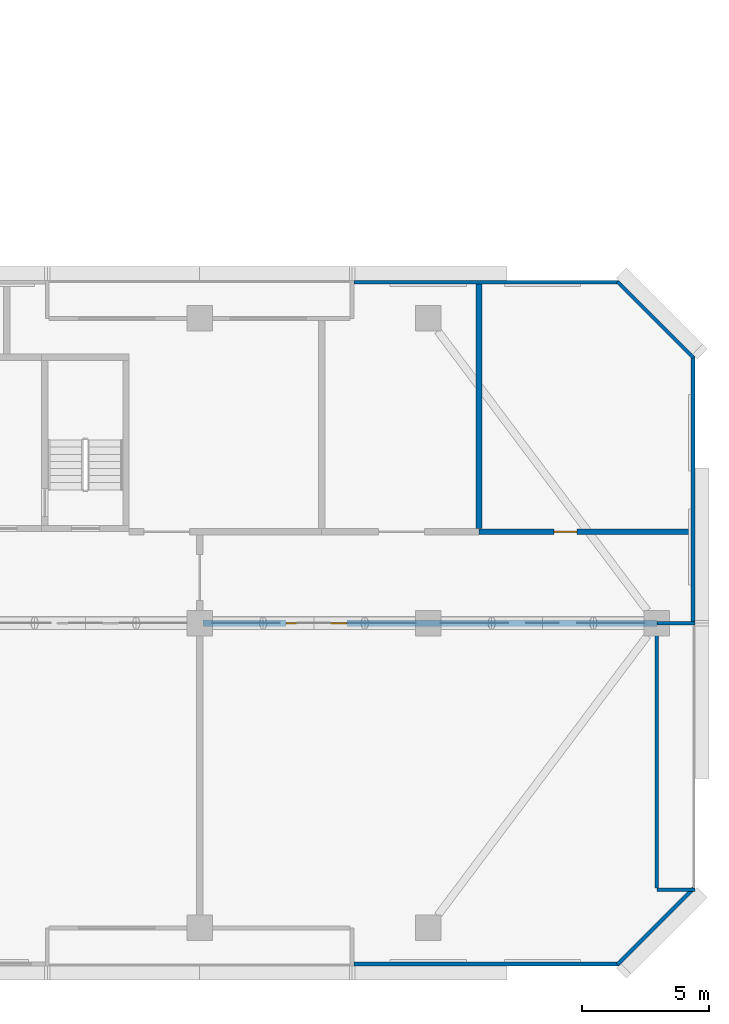
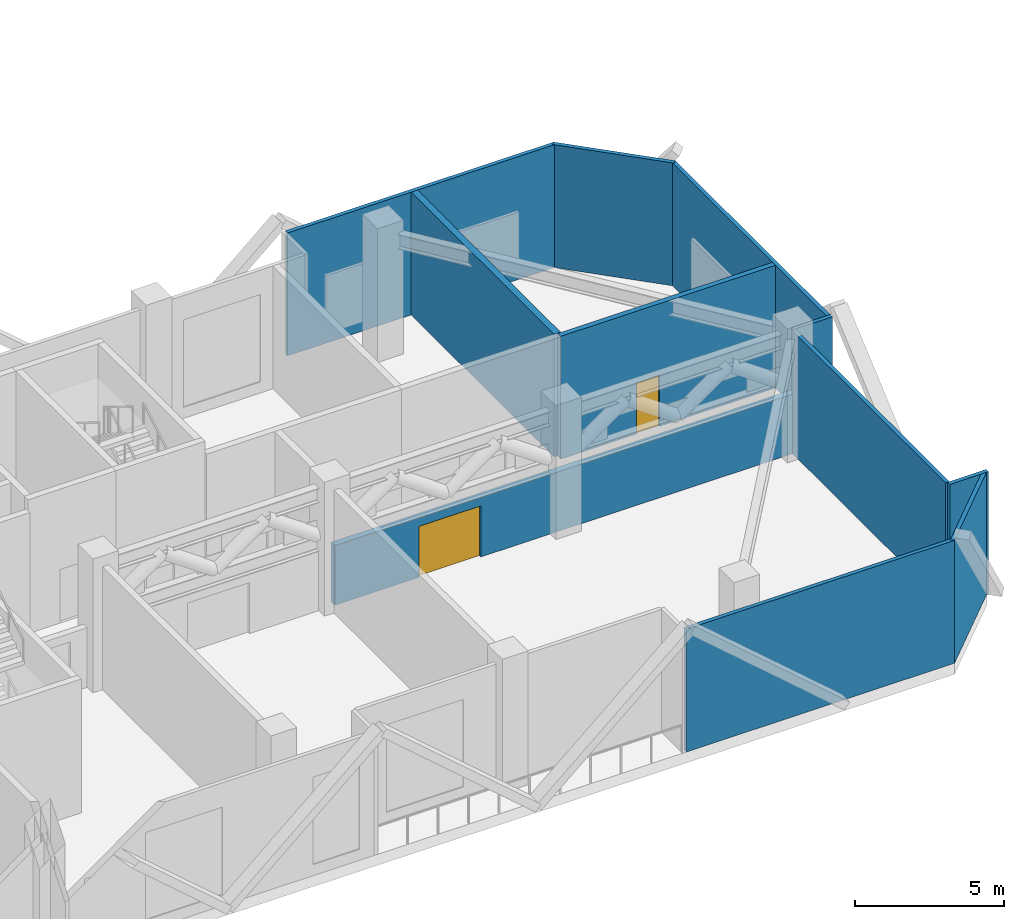
# One storey, part 10 of 15: 11 walls, 2 doors, 2 openings.
"""IFC4 building model written with IfcOpenShell, lengths in metres."""

from ifc_helpers import new_model, si_unit, direction, frame, frame_2d, origin, place, context, subcontext, project, spatial, rectangle, extrude, material, layer, layer_set, type_object, element, fill, save


model = new_model("IFC4")

# Units and contexts
model_context = context("Model", 3, precision=1e-05, world=origin(), true_north=direction((0.0, 1.0)))
body_context = subcontext(model_context, "Body", "Model", "MODEL_VIEW")
ifc_project = project(units=[si_unit("LENGTHUNIT", "METRE"), si_unit("AREAUNIT", "SQUARE_METRE"), si_unit("VOLUMEUNIT", "CUBIC_METRE"), si_unit("PLANEANGLEUNIT", "RADIAN"), si_unit("MASSUNIT", "GRAM", prefix="KILO")], contexts=[model_context])

# Site, building, storey
site_placement = place(None, origin())
site = spatial("IfcSite", under=ifc_project, at=site_placement, CompositionType="ELEMENT")
building_placement = place(site_placement, origin())
building = spatial("IfcBuilding", under=site, at=building_placement, Name="Chenar Terraces", CompositionType="ELEMENT")
storey_placement = place(building_placement, frame((0.0, 0.0, 140.64990234375)))
storey = spatial("IfcBuildingStorey", under=building, at=storey_placement, Name="L33", CompositionType="ELEMENT", Elevation=140.64990234375)

# Wall, opening, door
ifc_material_1 = material(Name="Gypsum board on steel studs with fire boards", Category="steel")
ifc_layer_1 = layer(ifc_material_1, 0.199951171875)
ifc_layer_set_1 = layer_set([ifc_layer_1], Name="Gypsum board on steel studs with fire boards")
wall_type_1 = type_object("IfcWallType", Name="Corridor wall 200", PredefinedType="PARTITIONING", material=ifc_layer_set_1)
wall_1_placement = place(storey_placement, frame((65.0, 15.60009765625, 0.0), z_axis=(0.0, 0.0, 1.0), x_axis=(1.0, 0.0, 0.0)))
wall_1 = element("IfcWall", 1, at=wall_1_placement, inside=storey, type_object=wall_type_1, Name="Partition L33-033", PredefinedType="PARTITIONING", context=body_context, shape_type="SweptSolid", body=[
    extrude(rectangle(XDim=8.35009765625, YDim=0.199951171875, at=frame_2d((4.175048828125, 0.0))), origin(), (0.0, 0.0, 1.0), 5.050048828125),
])
opening_1_placement = place(wall_1_placement, frame((2.949951171875, 0.0, 0.0)))
opening_1 = element("IfcOpeningElement", 2, at=opening_1_placement, cuts=wall_1, Name="Opening DL33-4", PredefinedType="OPENING", context=body_context, shape_type="SweptSolid", body=[
    extrude(rectangle(XDim=0.89990234375, YDim=2.10009765625, at=frame_2d((0.449951171875, 1.050048828125))), frame((0.0, 0.10986328125, 0.0), z_axis=(0.0, -1.0, 0.0), x_axis=(1.0, 0.0, 0.0)), (0.0, 0.0, 1.0), 0.219970703125),
])
ifc_material_2 = material(Name="Steel-framed fire-resisting door leaf", Category="steel")
door_type_1 = type_object("IfcDoorType", Name="Fire door FD60 900 x 2100", OperationType="SINGLE_SWING_LEFT", PredefinedType="DOOR", material=ifc_material_2)
door_1_placement = place(opening_1_placement, origin())
door_1 = element("IfcDoor", 3, at=door_1_placement, inside=storey, type_object=door_type_1, Name="Door DL33-4", OperationType="SINGLE_SWING_RIGHT", OverallHeight=2.10009765625, OverallWidth=0.89990234375, PredefinedType="DOOR", context=body_context, shape_type="SweptSolid", body=[
    extrude(rectangle(XDim=0.89990234375, YDim=2.10009765625, at=frame_2d((0.449951171875, 1.050048828125))), frame((0.0, 0.02490234375, 0.0), z_axis=(0.0, -1.0, 0.0), x_axis=(1.0, 0.0, 0.0)), (0.0, 0.0, 1.0), 0.050048828125),
])
fill(opening_1, door_1)

# Walls
ifc_material_3 = material(Name="Aluminium framed glazing", Category="aluminium")
ifc_layer_2 = layer(ifc_material_3, 0.14990234375)
ifc_layer_set_2 = layer_set([ifc_layer_2], Name="Aluminium framed glazing")
wall_type_2 = type_object("IfcWallType", Name="Glazed flush facade wall 150", PredefinedType="SOLIDWALL", material=ifc_layer_set_2)
for number, where, z_axis, x_axis, name in (
    (4, (70.5, 25.425048828125, 0.0), (0.0, 0.0, 1.0), (-1.0, 0.0, 0.0), "Glazed flush facade wall"),
    (5, (60.074951171875, -1.425048828125, 0.0), (0.0, 0.0, 1.0), (1.0, 0.0, 0.0), "Glazed flush facade wall"),
    (6, (73.425048828125, 12.074951171875, 0.0), (0.0, 0.0, 1.0), (0.0, 1.0, 0.0), "Glazed flush facade wall"),
):
    element("IfcWall", number, at=place(storey_placement, frame(where, z_axis=z_axis, x_axis=x_axis)), inside=storey, type_object=wall_type_2, Name=name, PredefinedType="SOLIDWALL", context=body_context, shape_type="SweptSolid", body=[
        extrude(rectangle(XDim=10.425048828125, YDim=0.14990234375, at=frame_2d((5.21240234375, 0.0))), origin(), (0.0, 0.0, 1.0), 5.050048828125),
    ])
ifc_material_4 = material(Name="Aluminium framed glazing", Category="aluminium")
ifc_layer_3 = layer(ifc_material_4, 0.14990234375)
ifc_layer_set_3 = layer_set([ifc_layer_3], Name="Aluminium framed glazing")
wall_type_3 = type_object("IfcWallType", Name="Glazed loggia back wall 150", PredefinedType="SOLIDWALL", material=ifc_layer_set_3)
wall_2_placement = place(storey_placement, frame((72.0, 1.574951171875, 0.0), z_axis=(0.0, 0.0, 1.0), x_axis=(0.0, 1.0, 0.0)))
element("IfcWall", 7, at=wall_2_placement, inside=storey, type_object=wall_type_3, Name="Glazed loggia back wall", PredefinedType="SOLIDWALL", context=body_context, shape_type="SweptSolid", body=[
    extrude(rectangle(XDim=10.35009765625, YDim=0.14990234375, at=frame_2d((5.175048828125, 0.0))), origin(), (0.0, 0.0, 1.0), 5.050048828125),
])
ifc_material_5 = material(Name="Terracotta cladding on insulated backing", Category="masonry")
ifc_layer_4 = layer(ifc_material_5, 0.14990234375)
ifc_layer_set_4 = layer_set([ifc_layer_4], Name="Terracotta cladding on insulated backing")
wall_type_4 = type_object("IfcWallType", Name="Loggia return wall 150", PredefinedType="SOLIDWALL", material=ifc_layer_set_4)
for number, where, z_axis, x_axis, name in (
    (8, (73.5, 1.5, 0.0), (0.0, 0.0, 1.0), (-1.0, 0.0, 0.0), "Loggia return wall"),
    (9, (73.5, 12.0, 0.0), (0.0, 0.0, 1.0), (-1.0, 0.0, 0.0), "Loggia return wall"),
):
    element("IfcWall", number, at=place(storey_placement, frame(where, z_axis=z_axis, x_axis=x_axis)), inside=storey, type_object=wall_type_4, Name=name, PredefinedType="SOLIDWALL", context=body_context, shape_type="SweptSolid", body=[
        extrude(rectangle(XDim=1.5, YDim=0.14990234375, at=frame_2d((0.75, 0.0))), origin(), (0.0, 0.0, 1.0), 5.050048828125),
    ])

# Wall, opening, door
ifc_material_6 = material(Name="Fire-board and steel stud wall with mineral wool", Category="steel")
ifc_layer_5 = layer(ifc_material_6, 0.25)
ifc_layer_set_5 = layer_set([ifc_layer_5], Name="Fire-board and steel stud wall with mineral wool")
wall_type_5 = type_object("IfcWallType", Name="Plant room wall 250", PredefinedType="PARTITIONING", material=ifc_layer_set_5)
wall_3_placement = place(storey_placement, frame((54.125, 12.0, 0.0), z_axis=(0.0, 0.0, 1.0), x_axis=(1.0, 0.0, 0.0)))
wall_3 = element("IfcWall", 10, at=wall_3_placement, inside=storey, type_object=wall_type_5, Name="Partition L33-030", PredefinedType="PARTITIONING", context=body_context, shape_type="SweptSolid", body=[
    extrude(rectangle(XDim=17.875, YDim=0.25, at=frame_2d((8.9375, 0.0))), origin(), (0.0, 0.0, 1.0), 2.4501953125),
])
opening_2_placement = place(wall_3_placement, frame((3.27490234375, 0.0, 0.0)))
opening_2 = element("IfcOpeningElement", 11, at=opening_2_placement, cuts=wall_3, Name="Opening DL33-7", PredefinedType="OPENING", context=body_context, shape_type="SweptSolid", body=[
    extrude(rectangle(XDim=2.39990234375, YDim=2.10009765625, at=frame_2d((1.199951171875, 1.050048828125))), frame((0.0, 0.135009765625, 0.0), z_axis=(0.0, -1.0, 0.0), x_axis=(1.0, 0.0, 0.0)), (0.0, 0.0, 1.0), 0.27001953125),
])
ifc_material_7 = material(Name="Steel-framed fire-resisting door leaf", Category="steel")
door_type_2 = type_object("IfcDoorType", Name="Fire double door FD120 2400 x 2100", OperationType="DOUBLE_DOOR_SINGLE_SWING", PredefinedType="DOOR", material=ifc_material_7)
door_2_placement = place(opening_2_placement, frame((2.39990234375, 0.0, 0.0), z_axis=(0.0, 0.0, 1.0), x_axis=(-1.0, 0.0, 0.0)))
door_2 = element("IfcDoor", 12, at=door_2_placement, inside=storey, type_object=door_type_2, Name="Door DL33-7", OperationType="DOUBLE_DOOR_SINGLE_SWING", OverallHeight=2.10009765625, OverallWidth=2.39990234375, PredefinedType="DOOR", context=body_context, shape_type="SweptSolid", body=[
    extrude(rectangle(XDim=2.39990234375, YDim=2.10009765625, at=frame_2d((1.199951171875, 1.050048828125))), frame((0.0, 0.02490234375, 0.0), z_axis=(0.0, -1.0, 0.0), x_axis=(1.0, 0.0, 0.0)), (0.0, 0.0, 1.0), 0.050048828125),
])
fill(opening_2, door_2)

# Walls
wall_4_placement = place(storey_placement, frame((65.0, 15.72509765625, 0.0), z_axis=(0.0, 0.0, 1.0), x_axis=(0.0, 1.0, 0.0)))
element("IfcWall", 13, at=wall_4_placement, inside=storey, type_object=wall_type_5, Name="Partition L33-034", PredefinedType="PARTITIONING", context=body_context, shape_type="SweptSolid", body=[
    extrude(rectangle(XDim=9.625, YDim=0.25, at=frame_2d((4.8125, 0.0))), origin(), (0.0, 0.0, 1.0), 5.050048828125),
])
ifc_material_8 = material(Name="Terracotta cladding on insulated backing", Category="masonry")
ifc_layer_6 = layer(ifc_material_8, 0.14990234375)
ifc_layer_set_6 = layer_set([ifc_layer_6], Name="Terracotta cladding on insulated backing")
wall_type_6 = type_object("IfcWallType", Name="Terracotta rainscreen wall 150", PredefinedType="SOLIDWALL", material=ifc_layer_set_6)
for number, where, z_axis, x_axis, name in (
    (14, (70.447021484375, -1.447021484375, 0.0), (0.0, 0.0, 1.0), (0.707106781187, 0.707106781187, 0.0), "Terracotta rainscreen wall"),
    (15, (73.447021484375, 22.447021484375, 0.0), (0.0, 0.0, 1.0), (-0.707106781187, 0.707106781187, 0.0), "Terracotta rainscreen wall"),
):
    element("IfcWall", number, at=place(storey_placement, frame(where, z_axis=z_axis, x_axis=x_axis)), inside=storey, type_object=wall_type_6, Name=name, PredefinedType="SOLIDWALL", context=body_context, shape_type="SweptSolid", body=[
        extrude(rectangle(XDim=4.24267578125, YDim=0.14990234375, at=frame_2d((2.121337890625, 0.0))), origin(), (0.0, 0.0, 1.0), 5.050048828125),
    ])

save(model, "model.ifc")
